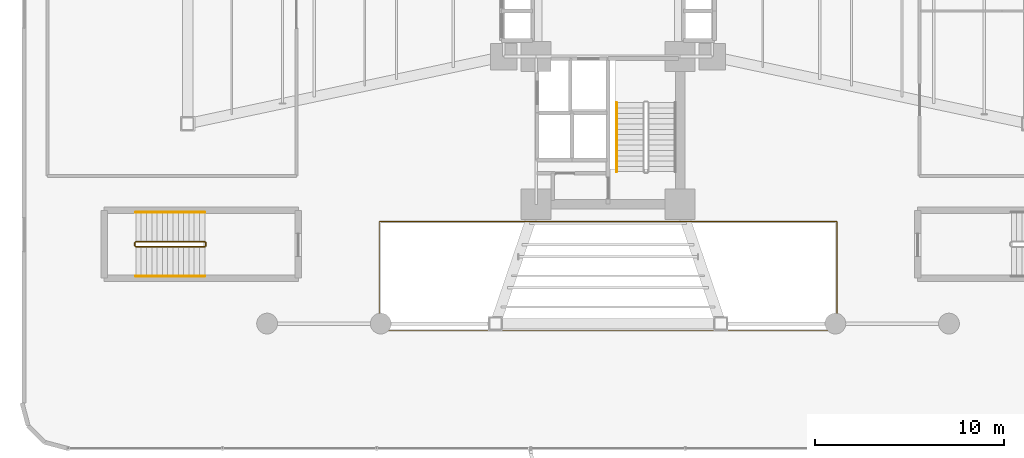
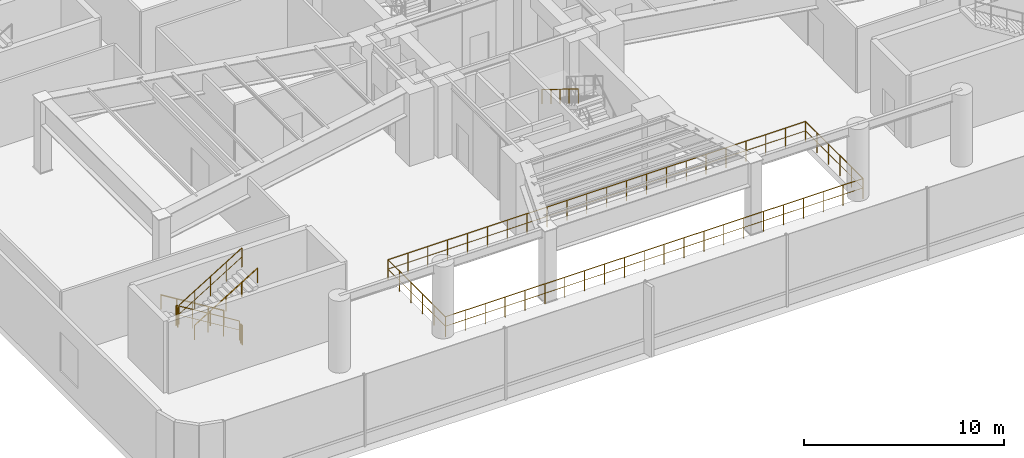
# One storey, part 19 of 22: 8 railings.
"""IFC4 building model written with IfcOpenShell, lengths in metres."""

from ifc_helpers import new_model, si_unit, direction, frame, origin, origin_2d, place, context, subcontext, project, spatial, circle, extrude, material, type_object, element, save


model = new_model("IFC4")

# Units and contexts
model_context = context("Model", 3, precision=1e-05, world=origin(), true_north=direction((0.0, 1.0)))
body_context = subcontext(model_context, "Body", "Model", "MODEL_VIEW")
ifc_project = project(units=[si_unit("LENGTHUNIT", "METRE"), si_unit("AREAUNIT", "SQUARE_METRE"), si_unit("VOLUMEUNIT", "CUBIC_METRE"), si_unit("PLANEANGLEUNIT", "RADIAN"), si_unit("MASSUNIT", "GRAM", prefix="KILO")], contexts=[model_context])

# Site, building, storey
site_placement = place(None, origin())
site = spatial("IfcSite", under=ifc_project, at=site_placement, CompositionType="ELEMENT")
building_placement = place(site_placement, origin())
building = spatial("IfcBuilding", under=site, at=building_placement, Name="Sahyath Konkavel Grand Hotel", CompositionType="ELEMENT")
storey_placement = place(building_placement, frame((0.0, 0.0, 9.300048828125)))
storey = spatial("IfcBuildingStorey", under=building, at=storey_placement, Name="L02", CompositionType="ELEMENT", Elevation=9.300048828125)

# Railings
ifc_material_1 = material(Name="Anodised Bronze Aluminium and Laminated Glass", Category="aluminium")
railing_type_1 = type_object("IfcRailingType", Name="RLG-ATRIUM-1250", PredefinedType="BALUSTRADE", material=ifc_material_1)
railing_1_placement = place(storey_placement, frame((-12.080078125, -16.8798828125, 0.0)))
element("IfcRailing", 1, at=railing_1_placement, inside=storey, type_object=railing_type_1, Name="L02 Podium Atrium Void Guard Balustrade", PredefinedType="BALUSTRADE", context=body_context, shape_type="SweptSolid", body=[
    extrude(circle(Radius=0.02392578125, at=origin_2d()), frame((0.001953125, 0.0, 1.22607421875), z_axis=(1.0, 0.0, 0.0), x_axis=(0.0, 1.0, 0.0)), (0.0, 0.0, 1.0), 24.15625),
    extrude(circle(Radius=0.01416015625, at=origin_2d()), frame((0.001953125, 0.0, 0.64990234375), z_axis=(1.0, 0.0, 0.0), x_axis=(0.0, 1.0, 0.0)), (0.0, 0.0, 1.0), 24.15625),
    extrude(circle(Radius=0.02392578125, at=origin_2d()), frame((24.16015625, 0.001953125, 1.22607421875), z_axis=(0.0, 1.0, 0.0), x_axis=(-1.0, 0.0, 0.0)), (0.0, 0.0, 1.0), 5.755859375),
    extrude(circle(Radius=0.01416015625, at=origin_2d()), frame((24.16015625, 0.001953125, 0.64990234375), z_axis=(0.0, 1.0, 0.0), x_axis=(-1.0, 0.0, 0.0)), (0.0, 0.0, 1.0), 5.755859375),
    extrude(circle(Radius=0.02392578125, at=origin_2d()), frame((24.158203125, 5.759765625, 1.22607421875), z_axis=(-1.0, 0.0, 0.0), x_axis=(0.0, -1.0, 0.0)), (0.0, 0.0, 1.0), 24.15625),
    extrude(circle(Radius=0.01416015625, at=origin_2d()), frame((24.158203125, 5.759765625, 0.64990234375), z_axis=(-1.0, 0.0, 0.0), x_axis=(0.0, -1.0, 0.0)), (0.0, 0.0, 1.0), 24.15625),
    extrude(circle(Radius=0.02392578125, at=origin_2d()), frame((0.0, 5.7578125, 1.22607421875), z_axis=(0.0, -1.0, 0.0), x_axis=(1.0, 0.0, 0.0)), (0.0, 0.0, 1.0), 5.755859375),
    extrude(circle(Radius=0.01416015625, at=origin_2d()), frame((0.0, 5.7578125, 0.64990234375), z_axis=(0.0, -1.0, 0.0), x_axis=(1.0, 0.0, 0.0)), (0.0, 0.0, 1.0), 5.755859375),
    extrude(circle(Radius=0.02099609375, at=origin_2d()), origin(), (0.0, 0.0, 1.0), 1.201904296875),
    extrude(circle(Radius=0.02099609375, at=origin_2d()), frame((1.150390625, 0.0, 0.0)), (0.0, 0.0, 1.0), 1.201904296875),
    extrude(circle(Radius=0.02099609375, at=origin_2d()), frame((2.301025390625, 0.0, 0.0)), (0.0, 0.0, 1.0), 1.201904296875),
    extrude(circle(Radius=0.02099609375, at=origin_2d()), frame((3.451416015625, 0.0, 0.0)), (0.0, 0.0, 1.0), 1.201904296875),
    extrude(circle(Radius=0.02099609375, at=origin_2d()), frame((4.60205078125, 0.0, 0.0)), (0.0, 0.0, 1.0), 1.201904296875),
    extrude(circle(Radius=0.02099609375, at=origin_2d()), frame((5.75244140625, 0.0, 0.0)), (0.0, 0.0, 1.0), 1.201904296875),
    extrude(circle(Radius=0.02099609375, at=origin_2d()), frame((6.90283203125, 0.0, 0.0)), (0.0, 0.0, 1.0), 1.201904296875),
    extrude(circle(Radius=0.02099609375, at=origin_2d()), frame((8.053466796875, 0.0, 0.0)), (0.0, 0.0, 1.0), 1.201904296875),
    extrude(circle(Radius=0.02099609375, at=origin_2d()), frame((9.203857421875, 0.0, 0.0)), (0.0, 0.0, 1.0), 1.201904296875),
    extrude(circle(Radius=0.02099609375, at=origin_2d()), frame((10.354248046875, 0.0, 0.0)), (0.0, 0.0, 1.0), 1.201904296875),
    extrude(circle(Radius=0.02099609375, at=origin_2d()), frame((11.5048828125, 0.0, 0.0)), (0.0, 0.0, 1.0), 1.201904296875),
    extrude(circle(Radius=0.02099609375, at=origin_2d()), frame((12.6552734375, 0.0, 0.0)), (0.0, 0.0, 1.0), 1.201904296875),
    extrude(circle(Radius=0.02099609375, at=origin_2d()), frame((13.805908203125, 0.0, 0.0)), (0.0, 0.0, 1.0), 1.201904296875),
    extrude(circle(Radius=0.02099609375, at=origin_2d()), frame((14.956298828125, 0.0, 0.0)), (0.0, 0.0, 1.0), 1.201904296875),
    extrude(circle(Radius=0.02099609375, at=origin_2d()), frame((16.106689453125, 0.0, 0.0)), (0.0, 0.0, 1.0), 1.201904296875),
    extrude(circle(Radius=0.02099609375, at=origin_2d()), frame((17.25732421875, 0.0, 0.0)), (0.0, 0.0, 1.0), 1.201904296875),
    extrude(circle(Radius=0.02099609375, at=origin_2d()), frame((18.40771484375, 0.0, 0.0)), (0.0, 0.0, 1.0), 1.201904296875),
    extrude(circle(Radius=0.02099609375, at=origin_2d()), frame((19.55810546875, 0.0, 0.0)), (0.0, 0.0, 1.0), 1.201904296875),
    extrude(circle(Radius=0.02099609375, at=origin_2d()), frame((20.708740234375, 0.0, 0.0)), (0.0, 0.0, 1.0), 1.201904296875),
    extrude(circle(Radius=0.02099609375, at=origin_2d()), frame((21.859130859375, 0.0, 0.0)), (0.0, 0.0, 1.0), 1.201904296875),
    extrude(circle(Radius=0.02099609375, at=origin_2d()), frame((23.009765625, 0.0, 0.0)), (0.0, 0.0, 1.0), 1.201904296875),
    extrude(circle(Radius=0.02099609375, at=origin_2d()), frame((24.16015625, 0.0, 0.0)), (0.0, 0.0, 1.0), 1.201904296875),
    extrude(circle(Radius=0.02099609375, at=origin_2d()), frame((24.16015625, 1.15185546875, 0.0)), (0.0, 0.0, 1.0), 1.201904296875),
    extrude(circle(Radius=0.02099609375, at=origin_2d()), frame((24.16015625, 2.303955078125, 0.0)), (0.0, 0.0, 1.0), 1.201904296875),
    extrude(circle(Radius=0.02099609375, at=origin_2d()), frame((24.16015625, 3.455810546875, 0.0)), (0.0, 0.0, 1.0), 1.201904296875),
    extrude(circle(Radius=0.02099609375, at=origin_2d()), frame((24.16015625, 4.60791015625, 0.0)), (0.0, 0.0, 1.0), 1.201904296875),
    extrude(circle(Radius=0.02099609375, at=origin_2d()), frame((24.16015625, 5.759765625, 0.0)), (0.0, 0.0, 1.0), 1.201904296875),
    extrude(circle(Radius=0.02099609375, at=origin_2d()), frame((23.009765625, 5.759765625, 0.0)), (0.0, 0.0, 1.0), 1.201904296875),
    extrude(circle(Radius=0.02099609375, at=origin_2d()), frame((21.859130859375, 5.759765625, 0.0)), (0.0, 0.0, 1.0), 1.201904296875),
    extrude(circle(Radius=0.02099609375, at=origin_2d()), frame((20.708740234375, 5.759765625, 0.0)), (0.0, 0.0, 1.0), 1.201904296875),
    extrude(circle(Radius=0.02099609375, at=origin_2d()), frame((19.55810546875, 5.759765625, 0.0)), (0.0, 0.0, 1.0), 1.201904296875),
    extrude(circle(Radius=0.02099609375, at=origin_2d()), frame((18.40771484375, 5.759765625, 0.0)), (0.0, 0.0, 1.0), 1.201904296875),
    extrude(circle(Radius=0.02099609375, at=origin_2d()), frame((17.25732421875, 5.759765625, 0.0)), (0.0, 0.0, 1.0), 1.201904296875),
    extrude(circle(Radius=0.02099609375, at=origin_2d()), frame((16.106689453125, 5.759765625, 0.0)), (0.0, 0.0, 1.0), 1.201904296875),
    extrude(circle(Radius=0.02099609375, at=origin_2d()), frame((14.956298828125, 5.759765625, 0.0)), (0.0, 0.0, 1.0), 1.201904296875),
    extrude(circle(Radius=0.02099609375, at=origin_2d()), frame((13.805908203125, 5.759765625, 0.0)), (0.0, 0.0, 1.0), 1.201904296875),
    extrude(circle(Radius=0.02099609375, at=origin_2d()), frame((12.6552734375, 5.759765625, 0.0)), (0.0, 0.0, 1.0), 1.201904296875),
    extrude(circle(Radius=0.02099609375, at=origin_2d()), frame((11.5048828125, 5.759765625, 0.0)), (0.0, 0.0, 1.0), 1.201904296875),
    extrude(circle(Radius=0.02099609375, at=origin_2d()), frame((10.354248046875, 5.759765625, 0.0)), (0.0, 0.0, 1.0), 1.201904296875),
    extrude(circle(Radius=0.02099609375, at=origin_2d()), frame((9.203857421875, 5.759765625, 0.0)), (0.0, 0.0, 1.0), 1.201904296875),
    extrude(circle(Radius=0.02099609375, at=origin_2d()), frame((8.053466796875, 5.759765625, 0.0)), (0.0, 0.0, 1.0), 1.201904296875),
    extrude(circle(Radius=0.02099609375, at=origin_2d()), frame((6.90283203125, 5.759765625, 0.0)), (0.0, 0.0, 1.0), 1.201904296875),
    extrude(circle(Radius=0.02099609375, at=origin_2d()), frame((5.75244140625, 5.759765625, 0.0)), (0.0, 0.0, 1.0), 1.201904296875),
    extrude(circle(Radius=0.02099609375, at=origin_2d()), frame((4.60205078125, 5.759765625, 0.0)), (0.0, 0.0, 1.0), 1.201904296875),
    extrude(circle(Radius=0.02099609375, at=origin_2d()), frame((3.451416015625, 5.759765625, 0.0)), (0.0, 0.0, 1.0), 1.201904296875),
    extrude(circle(Radius=0.02099609375, at=origin_2d()), frame((2.301025390625, 5.759765625, 0.0)), (0.0, 0.0, 1.0), 1.201904296875),
    extrude(circle(Radius=0.02099609375, at=origin_2d()), frame((1.150390625, 5.759765625, 0.0)), (0.0, 0.0, 1.0), 1.201904296875),
    extrude(circle(Radius=0.02099609375, at=origin_2d()), frame((0.0, 5.759765625, 0.0)), (0.0, 0.0, 1.0), 1.201904296875),
    extrude(circle(Radius=0.02099609375, at=origin_2d()), frame((0.0, 4.60791015625, 0.0)), (0.0, 0.0, 1.0), 1.201904296875),
    extrude(circle(Radius=0.02099609375, at=origin_2d()), frame((0.0, 3.455810546875, 0.0)), (0.0, 0.0, 1.0), 1.201904296875),
    extrude(circle(Radius=0.02099609375, at=origin_2d()), frame((0.0, 2.303955078125, 0.0)), (0.0, 0.0, 1.0), 1.201904296875),
    extrude(circle(Radius=0.02099609375, at=origin_2d()), frame((0.0, 1.15185546875, 0.0)), (0.0, 0.0, 1.0), 1.201904296875),
])
ifc_material_2 = material(Name="Steel E350", Category="steel")
railing_type_2 = type_object("IfcRailingType", Name="RLG-STAIR-GRD", PredefinedType="GUARDRAIL", material=ifc_material_2)
railing_2_placement = place(storey_placement, frame((-21.2900390625, -12.179931640625, 0.17138671875)))
element("IfcRailing", 2, at=railing_2_placement, inside=storey, type_object=railing_type_2, Name="L02 ST-P3 stair guard 1", PredefinedType="GUARDRAIL", context=body_context, shape_type="SweptSolid", body=[
    extrude(circle(Radius=0.02392578125, at=origin_2d()), frame((-0.001708984375, 0.0, 1.177001953125), z_axis=(-0.852850264322, 0.0, 0.5221555579), x_axis=(0.0, -1.0, 0.0)), (0.0, 0.0, 1.0), 4.263916015625),
    extrude(circle(Radius=0.01416015625, at=origin_2d()), frame((-0.001708984375, 0.0, 0.625), z_axis=(-0.852850264322, 0.0, 0.5221555579), x_axis=(0.0, -1.0, 0.0)), (0.0, 0.0, 1.0), 4.263916015625),
    extrude(circle(Radius=0.02099609375, at=origin_2d()), origin(), (0.0, 0.0, 1.0), 1.15185546875),
    extrude(circle(Radius=0.02099609375, at=origin_2d()), frame((-0.909912109375, 0.0, 0.55712890625)), (0.0, 0.0, 1.0), 1.15185546875),
    extrude(circle(Radius=0.02099609375, at=origin_2d()), frame((-1.81982421875, 0.0, 1.1142578125)), (0.0, 0.0, 1.0), 1.15185546875),
    extrude(circle(Radius=0.02099609375, at=origin_2d()), frame((-2.72998046875, 0.0, 1.67138671875)), (0.0, 0.0, 1.0), 1.15185546875),
    extrude(circle(Radius=0.02099609375, at=origin_2d()), frame((-3.639892578125, 0.0, 2.228515625)), (0.0, 0.0, 1.0), 1.15185546875),
])
railing_3_placement = place(storey_placement, frame((-24.97998046875, -12.22998046875, 2.39990234375)))
element("IfcRailing", 3, at=railing_3_placement, inside=storey, type_object=railing_type_2, Name="L02 ST-P3 stair guard 2", PredefinedType="GUARDRAIL", context=body_context, shape_type="SweptSolid", body=[
    extrude(circle(Radius=0.02392578125, at=origin_2d()), frame((0.0, -0.001953125, 1.17578125), z_axis=(0.0, -1.0, 0.0), x_axis=(1.0, 0.0, 0.0)), (0.0, 0.0, 1.0), 0.156005859375),
    extrude(circle(Radius=0.01416015625, at=origin_2d()), frame((0.0, -0.001953125, 0.6240234375), z_axis=(0.0, -1.0, 0.0), x_axis=(1.0, 0.0, 0.0)), (0.0, 0.0, 1.0), 0.156005859375),
    extrude(circle(Radius=0.02099609375, at=origin_2d()), origin(), (0.0, 0.0, 1.0), 1.15185546875),
    extrude(circle(Radius=0.02099609375, at=origin_2d()), frame((0.0, -0.159912109375, 0.0)), (0.0, 0.0, 1.0), 1.15185546875),
])
railing_4_placement = place(storey_placement, frame((-24.929931640625, -12.43994140625, 2.5712890625)))
element("IfcRailing", 4, at=railing_4_placement, inside=storey, type_object=railing_type_2, Name="L02 ST-P3 stair guard 3", PredefinedType="GUARDRAIL", context=body_context, shape_type="SweptSolid", body=[
    extrude(circle(Radius=0.02392578125, at=origin_2d()), frame((0.001708984375, 0.0, 1.177001953125), z_axis=(0.852824790078, 0.0, 0.522197163366), x_axis=(0.0, 1.0, 0.0)), (0.0, 0.0, 1.0), 4.26416015625),
    extrude(circle(Radius=0.01416015625, at=origin_2d()), frame((0.001708984375, 0.0, 0.625), z_axis=(0.852824790078, 0.0, 0.522197163366), x_axis=(0.0, 1.0, 0.0)), (0.0, 0.0, 1.0), 4.26416015625),
    extrude(circle(Radius=0.02099609375, at=origin_2d()), origin(), (0.0, 0.0, 1.0), 1.15185546875),
    extrude(circle(Radius=0.02099609375, at=origin_2d()), frame((0.909912109375, 0.0, 0.55712890625)), (0.0, 0.0, 1.0), 1.15185546875),
    extrude(circle(Radius=0.02099609375, at=origin_2d()), frame((1.81982421875, 0.0, 1.1142578125)), (0.0, 0.0, 1.0), 1.15185546875),
    extrude(circle(Radius=0.02099609375, at=origin_2d()), frame((2.72998046875, 0.0, 1.671630859375)), (0.0, 0.0, 1.0), 1.15185546875),
    extrude(circle(Radius=0.02099609375, at=origin_2d()), frame((3.639892578125, 0.0, 2.228759765625)), (0.0, 0.0, 1.0), 1.15185546875),
])
railing_5_placement = place(storey_placement, frame((-21.239990234375, -12.22998046875, 0.0)))
element("IfcRailing", 5, at=railing_5_placement, inside=storey, type_object=railing_type_2, Name="L02 ST-P3 stair guard 4", PredefinedType="GUARDRAIL", context=body_context, shape_type="SweptSolid", body=[
    extrude(circle(Radius=0.02392578125, at=origin_2d()), frame((0.0, -0.001953125, 1.17578125), z_axis=(0.0, -1.0, 0.0), x_axis=(1.0, 0.0, 0.0)), (0.0, 0.0, 1.0), 0.156005859375),
    extrude(circle(Radius=0.01416015625, at=origin_2d()), frame((0.0, -0.001953125, 0.6240234375), z_axis=(0.0, -1.0, 0.0), x_axis=(1.0, 0.0, 0.0)), (0.0, 0.0, 1.0), 0.156005859375),
    extrude(circle(Radius=0.02099609375, at=origin_2d()), origin(), (0.0, 0.0, 1.0), 1.15185546875),
    extrude(circle(Radius=0.02099609375, at=origin_2d()), frame((0.0, -0.159912109375, 0.0)), (0.0, 0.0, 1.0), 1.15185546875),
])
ifc_material_3 = material(Name="Anodised Bronze Aluminium", Category="aluminium")
railing_type_3 = type_object("IfcRailingType", Name="RLG-STAIR-HND", PredefinedType="HANDRAIL", material=ifc_material_3)
railing_6_placement = place(storey_placement, frame((0.449951171875, -4.840087890625, 2.5712890625)))
element("IfcRailing", 6, at=railing_6_placement, inside=storey, type_object=railing_type_3, Name="L02 ST-2 stair handrail 2", PredefinedType="HANDRAIL", context=body_context, shape_type="SweptSolid", body=[
    extrude(circle(Radius=0.02392578125, at=origin_2d()), frame((0.0, -0.001708984375, 0.876953125), z_axis=(0.0, -0.852824790078, 0.522197163366), x_axis=(1.0, 0.0, 0.0)), (0.0, 0.0, 1.0), 4.26416015625),
    extrude(circle(Radius=0.02099609375, at=origin_2d()), origin(), (0.0, 0.0, 1.0), 0.851806640625),
    extrude(circle(Radius=0.02099609375, at=origin_2d()), frame((0.0, -0.909912109375, 0.55712890625)), (0.0, 0.0, 1.0), 0.851806640625),
    extrude(circle(Radius=0.02099609375, at=origin_2d()), frame((0.0, -1.81982421875, 1.1142578125)), (0.0, 0.0, 1.0), 0.851806640625),
    extrude(circle(Radius=0.02099609375, at=origin_2d()), frame((0.0, -2.72998046875, 1.671630859375)), (0.0, 0.0, 1.0), 0.851806640625),
    extrude(circle(Radius=0.02099609375, at=origin_2d()), frame((0.0, -3.639892578125, 2.228759765625)), (0.0, 0.0, 1.0), 0.851806640625),
])
railing_7_placement = place(storey_placement, frame((-21.2900390625, -10.6298828125, 0.17138671875)))
element("IfcRailing", 7, at=railing_7_placement, inside=storey, type_object=railing_type_3, Name="L02 ST-P3 stair handrail 1", PredefinedType="HANDRAIL", context=body_context, shape_type="SweptSolid", body=[
    extrude(circle(Radius=0.02392578125, at=origin_2d()), frame((-0.001708984375, 0.0, 0.876953125), z_axis=(-0.852850264322, 0.0, 0.5221555579), x_axis=(0.0, -1.0, 0.0)), (0.0, 0.0, 1.0), 4.263916015625),
    extrude(circle(Radius=0.02099609375, at=origin_2d()), origin(), (0.0, 0.0, 1.0), 0.851806640625),
    extrude(circle(Radius=0.02099609375, at=origin_2d()), frame((-0.909912109375, 0.0, 0.55712890625)), (0.0, 0.0, 1.0), 0.851806640625),
    extrude(circle(Radius=0.02099609375, at=origin_2d()), frame((-1.81982421875, 0.0, 1.1142578125)), (0.0, 0.0, 1.0), 0.851806640625),
    extrude(circle(Radius=0.02099609375, at=origin_2d()), frame((-2.72998046875, 0.0, 1.67138671875)), (0.0, 0.0, 1.0), 0.851806640625),
    extrude(circle(Radius=0.02099609375, at=origin_2d()), frame((-3.639892578125, 0.0, 2.228515625)), (0.0, 0.0, 1.0), 0.851806640625),
])
railing_8_placement = place(storey_placement, frame((-24.929931640625, -13.989990234375, 2.5712890625)))
element("IfcRailing", 8, at=railing_8_placement, inside=storey, type_object=railing_type_3, Name="L02 ST-P3 stair handrail 2", PredefinedType="HANDRAIL", context=body_context, shape_type="SweptSolid", body=[
    extrude(circle(Radius=0.02392578125, at=origin_2d()), frame((0.001708984375, 0.0, 0.876953125), z_axis=(0.852824790078, 0.0, 0.522197163366), x_axis=(0.0, 1.0, 0.0)), (0.0, 0.0, 1.0), 4.26416015625),
    extrude(circle(Radius=0.02099609375, at=origin_2d()), origin(), (0.0, 0.0, 1.0), 0.851806640625),
    extrude(circle(Radius=0.02099609375, at=origin_2d()), frame((0.909912109375, 0.0, 0.55712890625)), (0.0, 0.0, 1.0), 0.851806640625),
    extrude(circle(Radius=0.02099609375, at=origin_2d()), frame((1.81982421875, 0.0, 1.1142578125)), (0.0, 0.0, 1.0), 0.851806640625),
    extrude(circle(Radius=0.02099609375, at=origin_2d()), frame((2.72998046875, 0.0, 1.671630859375)), (0.0, 0.0, 1.0), 0.851806640625),
    extrude(circle(Radius=0.02099609375, at=origin_2d()), frame((3.639892578125, 0.0, 2.228759765625)), (0.0, 0.0, 1.0), 0.851806640625),
])

save(model, "model.ifc")
